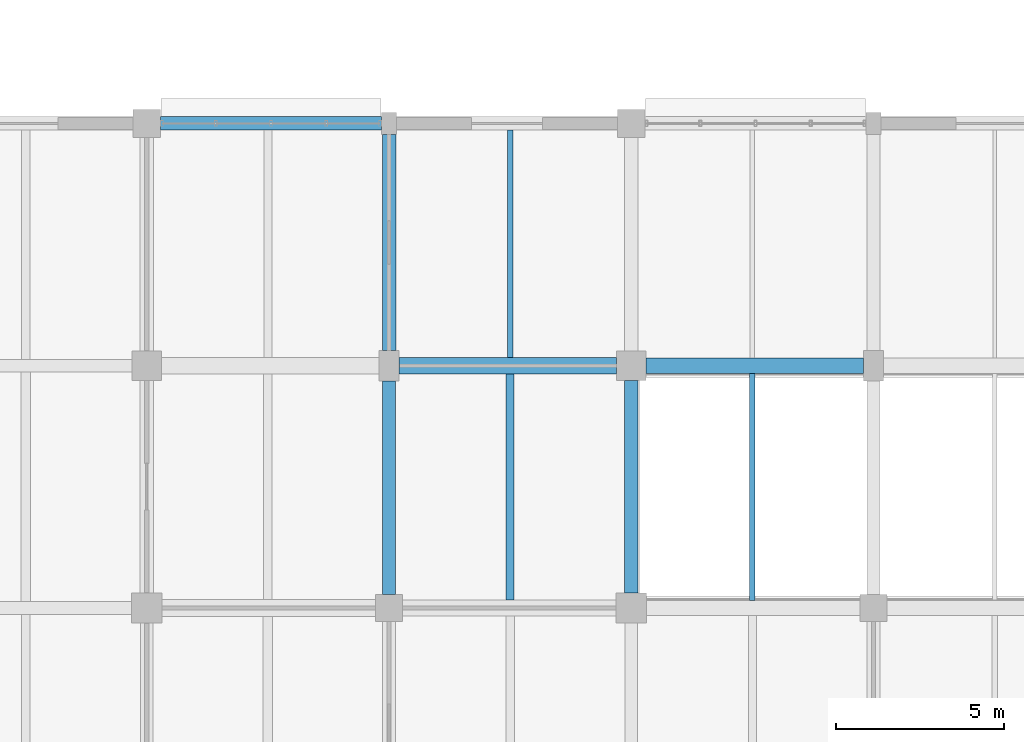
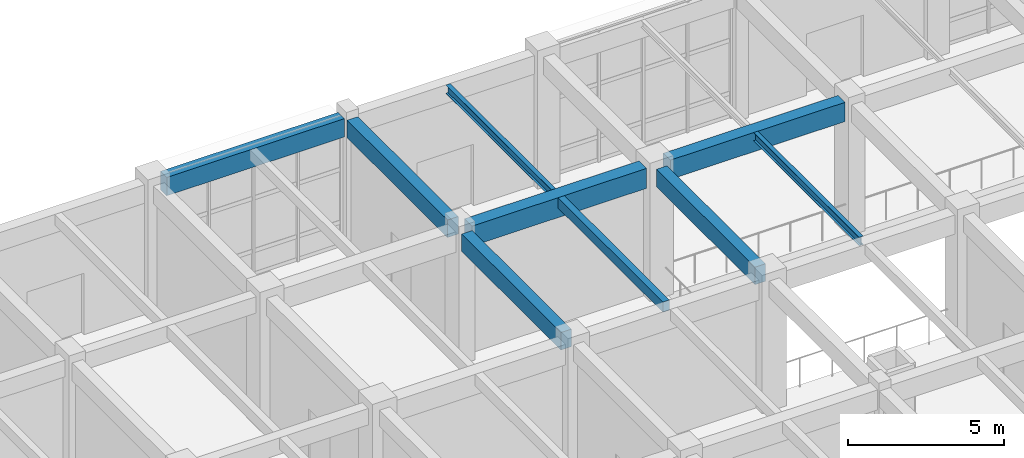
# One storey, part 106 of 160: 9 beams.
"""IFC4 building model written with IfcOpenShell, lengths in metres."""

import ifcopenshell
import ifcopenshell.guid

model = None  # the IFC model being written
_history = None  # IfcOwnerHistory: only IFC2X3 demands one
_inside = {}  # id of a spatial element -> (the spatial element, [elements in it])
_under = {}  # id of a project, library or spatial element -> (it, [spatial elements below it])
_declared = {}  # id of a project -> (the project, [libraries it declares])
_typed = {}  # id of a type object -> (the type object, [elements of that type])
_made_of = {}  # id of a material, layer set ... -> (it, [elements and type objects made of it])


def new_model(schema):
    """Start an empty IFC model of exactly this schema.

    Asked for "IFC4X3", IfcOpenShell would pick the latest addendum, in which some entities
    have other attributes; the version numbers below select the first issue.
    IFC2X3 requires an IfcOwnerHistory on every rooted entity: one is made here for all.
    """
    global model, _history
    if schema == "IFC4X3":
        model = ifcopenshell.file(schema_version=(4, 3, 0, 0))
    else:
        model = ifcopenshell.file(schema=schema)
    _inside.clear()
    _under.clear()
    _declared.clear()
    _typed.clear()
    _made_of.clear()
    _history = None
    if model.schema == "IFC2X3":
        org = make("IfcOrganization", Name="unknown")
        user = make(
            "IfcPersonAndOrganization",
            ThePerson=make("IfcPerson", FamilyName="unknown"),
            TheOrganization=org,
        )
        app = make(
            "IfcApplication",
            ApplicationDeveloper=org,
            Version="unknown",
            ApplicationFullName="unknown",
            ApplicationIdentifier="unknown",
        )
        _history = make(
            "IfcOwnerHistory",
            OwningUser=user,
            OwningApplication=app,
            ChangeAction="ADDED",
            CreationDate=0,
        )
    return model


def make(cls, **values):
    """One entity of the class cls with the attributes given. An attribute that is None is left unset."""
    return model.create_entity(
        cls, **{name: value for name, value in values.items() if value is not None}
    )


def rooted(cls, **values):
    """An entity with a GlobalId (a new one), such as an element, a storey or a relation."""
    return make(cls, GlobalId=ifcopenshell.guid.new(), OwnerHistory=_history, **values)


def si_unit(unit_type, name, prefix=None):
    """IfcSIUnit, for example si_unit("LENGTHUNIT", "METRE", prefix="MILLI")."""
    return make("IfcSIUnit", UnitType=unit_type, Prefix=prefix, Name=name)


def assignment(units):
    """IfcUnitAssignment: the units of a project."""
    return None if units is None else make("IfcUnitAssignment", Units=units)


def point(xyz):
    """IfcCartesianPoint."""
    return None if xyz is None else make("IfcCartesianPoint", Coordinates=xyz)


def direction(xyz):
    """IfcDirection."""
    return None if xyz is None else make("IfcDirection", DirectionRatios=xyz)


def frame(location, z_axis=None, x_axis=None):
    """IfcAxis2Placement3D, a coordinate frame: its origin and axes. An axis left out is left unset."""
    return make(
        "IfcAxis2Placement3D",
        Location=point(location),
        Axis=direction(z_axis),
        RefDirection=direction(x_axis),
    )


def frame_2d(location, x_axis=None):
    """IfcAxis2Placement2D, a coordinate frame in the plane: its origin and x axis."""
    return make(
        "IfcAxis2Placement2D", Location=point(location), RefDirection=direction(x_axis)
    )


def origin():
    """The frame at (0, 0, 0) with its axes left unset."""
    return frame((0.0, 0.0, 0.0))


def origin_2d():
    """The frame at (0, 0) in the plane with its x axis left unset."""
    return frame_2d((0.0, 0.0))


def place(relative_to, where):
    """IfcLocalPlacement: puts the frame where relative to a parent placement (None: the world)."""
    return make(
        "IfcLocalPlacement", PlacementRelTo=relative_to, RelativePlacement=where
    )


def context(
    kind, dimensions, precision=None, world=None, true_north=None, identifier=None
):
    """IfcGeometricRepresentationContext, for example the 3D "Model" context."""
    return make(
        "IfcGeometricRepresentationContext",
        ContextIdentifier=identifier,
        ContextType=kind,
        CoordinateSpaceDimension=dimensions,
        Precision=precision,
        WorldCoordinateSystem=world,
        TrueNorth=true_north,
    )


def subcontext(parent, identifier, kind, view, scale=None):
    """IfcGeometricRepresentationSubContext, for example "Body" below "Model"."""
    return make(
        "IfcGeometricRepresentationSubContext",
        ContextIdentifier=identifier,
        ContextType=kind,
        ParentContext=parent,
        TargetScale=scale,
        TargetView=view,
    )


def project(units=None, contexts=None):
    """IfcProject with its units and contexts."""
    return rooted(
        "IfcProject",
        Name="project",
        RepresentationContexts=contexts,
        UnitsInContext=assignment(units),
    )


def spatial(cls, under=None, at=None, **own):
    """A site, building, storey or space (cls), placed at a placement, below another one or the project."""
    s = rooted(cls, ObjectPlacement=at, **own)
    if under is not None:
        _under.setdefault(under.id(), (under, []))[1].append(s)
    return s


def profile(cls, at=None, kind="AREA", **sizes):
    """A parametric profile (cls). Its sizes go by their IFC names, for example OverallWidth=200.0."""
    return make(cls, ProfileType=kind, Position=at, **sizes)


def rectangle(**sizes):
    """IfcRectangleProfileDef."""
    return profile("IfcRectangleProfileDef", **sizes)


def i_section(**sizes):
    """IfcIShapeProfileDef."""
    return profile("IfcIShapeProfileDef", **sizes)


def extrude(swept, where, along, depth):
    """IfcExtrudedAreaSolid: the profile swept, set in the frame where, extruded along a direction by depth."""
    return make(
        "IfcExtrudedAreaSolid",
        SweptArea=swept,
        Position=where,
        ExtrudedDirection=direction(along),
        Depth=depth,
    )


def shape(context_of_items, identifier, shape_type, items):
    """IfcShapeRepresentation: the items that make up one representation, for example the "Body"."""
    return make(
        "IfcShapeRepresentation",
        ContextOfItems=context_of_items,
        RepresentationIdentifier=identifier,
        RepresentationType=shape_type,
        Items=items,
    )


def material(Name=None, Category=None):
    """IfcMaterial."""
    return make("IfcMaterial", Name=Name, Category=Category)


def material_profile(
    of_material, cross_section, Name=None, Category=None, Priority=None
):
    """IfcMaterialProfile: a cross section and its material."""
    return make(
        "IfcMaterialProfile",
        Name=Name,
        Material=of_material,
        Profile=cross_section,
        Priority=Priority,
        Category=Category,
    )


def profile_set(profiles, Name=None, composite=None):
    """IfcMaterialProfileSet."""
    return make(
        "IfcMaterialProfileSet",
        Name=Name,
        MaterialProfiles=profiles,
        CompositeProfile=composite,
    )


def made_of(thing, what):
    """Note that an element or type object is made of a material, layer set ...; save() writes the relation."""
    if what is not None:
        _made_of.setdefault(what.id(), (what, []))[1].append(thing)
    return thing


def type_object(cls, material=None, **own):
    """A type object (cls), such as IfcWallType, which elements share."""
    return made_of(rooted(cls, **own), material)


def element(
    cls,
    number,
    at=None,
    inside=None,
    cuts=None,
    type_object=None,
    material=None,
    context=None,
    identifier="Body",
    shape_type=None,
    held_by="IfcProductDefinitionShape",
    body=None,
    shapes=None,
    **own,
):
    """One element of the class cls, such as IfcWall. Its Tag is "e" and its number.

    at: its placement. inside: the storey or other place that contains it. cuts: it is an
    opening in that element (IfcRelVoidsElement). A single representation is given by context,
    identifier, shape_type and body (its items); several are given by shapes. held_by: the class
    of the entity that holds the representations. save() writes the other relations.
    """
    e = rooted(cls, Tag="e%d" % number, ObjectPlacement=at, **own)
    if body is not None:
        shapes = [shape(context, identifier, shape_type, body)]
    if shapes is not None:
        e.Representation = make(held_by, Representations=shapes)
    if inside is not None:
        _inside.setdefault(inside.id(), (inside, []))[1].append(e)
    if cuts is not None:
        rooted(
            "IfcRelVoidsElement", RelatingBuildingElement=cuts, RelatedOpeningElement=e
        )
    if type_object is not None:
        _typed.setdefault(type_object.id(), (type_object, []))[1].append(e)
    return made_of(e, material)


def aggregate(whole, parts):
    """IfcRelAggregates: a whole, such as a stair, and the parts it consists of."""
    return rooted("IfcRelAggregates", RelatingObject=whole, RelatedObjects=parts)


def save(model, path):
    """Write the relations noted so far, then the file.

    IfcRelAggregates (storeys below a building ...), IfcRelContainedInSpatialStructure (elements
    in a storey), IfcRelDefinesByType, IfcRelAssociatesMaterial and IfcRelDeclares: one each for
    every whole, place, type object, material and project.
    """
    for whole, parts in _under.values():
        aggregate(whole, parts)
    for where, things in _inside.values():
        rooted(
            "IfcRelContainedInSpatialStructure",
            RelatedElements=things,
            RelatingStructure=where,
        )
    for kind, things in _typed.values():
        rooted("IfcRelDefinesByType", RelatedObjects=things, RelatingType=kind)
    for what, things in _made_of.values():
        rooted("IfcRelAssociatesMaterial", RelatedObjects=things, RelatingMaterial=what)
    for by, libraries in _declared.values():
        rooted("IfcRelDeclares", RelatingContext=by, RelatedDefinitions=libraries)
    model.write(path)


model = new_model("IFC4")

# Units and contexts
model_context = context("Model", 3, precision=1e-05, world=origin(), true_north=direction((0.0, 1.0)))
body_context = subcontext(model_context, "Body", "Model", "MODEL_VIEW")
ifc_project = project(units=[si_unit("LENGTHUNIT", "METRE"), si_unit("AREAUNIT", "SQUARE_METRE"), si_unit("VOLUMEUNIT", "CUBIC_METRE"), si_unit("PLANEANGLEUNIT", "RADIAN"), si_unit("MASSUNIT", "GRAM", prefix="KILO")], contexts=[model_context])

# Site, building, storey
site_placement = place(None, origin())
site = spatial("IfcSite", under=ifc_project, at=site_placement, CompositionType="ELEMENT")
building_placement = place(site_placement, origin())
building = spatial("IfcBuilding", under=site, at=building_placement, Name="Thalmaran Polytechnic", CompositionType="ELEMENT")
storey_placement = place(building_placement, origin())
storey = spatial("IfcBuildingStorey", under=building, at=storey_placement, Name="L00", CompositionType="ELEMENT", Elevation=0.0)

# Beams
ifc_material_1 = material(Name="Concrete C40/50", Category="concrete")
ifc_material_profile_1 = material_profile(ifc_material_1, rectangle(XDim=0.449951171875, YDim=0.75, at=origin_2d()), Name="RC 450x750")
ifc_profile_set_1 = profile_set([ifc_material_profile_1], Name="Concrete C40/50")
beam_type_1 = type_object("IfcBeamType", Name="BM-RC03", PredefinedType="BEAM", material=ifc_profile_set_1)
beam_1_placement = place(storey_placement, frame((151.639892578125, 115.199951171875, 4.715087890625), z_axis=(1.0, 0.0, 0.0), x_axis=(0.0, 1.0, 0.0)))
element("IfcBeam", 1, at=beam_1_placement, inside=storey, type_object=beam_type_1, Name="Grid Beam B03 L00 X(21,16)", PredefinedType="BEAM", context=body_context, shape_type="SweptSolid", body=[
    extrude(rectangle(XDim=0.449951171875, YDim=0.75, at=origin_2d()), origin(), (0.0, 0.0, 1.0), 6.460205078125),
])
ifc_material_profile_2 = material_profile(ifc_material_1, rectangle(XDim=0.389892578125, YDim=0.68505859375, at=origin_2d()), Name="RC 390x685")
ifc_profile_set_2 = profile_set([ifc_material_profile_2], Name="Concrete C40/50")
beam_type_2 = type_object("IfcBeamType", Name="BM-RC08", PredefinedType="BEAM", material=ifc_profile_set_2)
beam_2_placement = place(storey_placement, frame((144.0, 108.39990234375, 4.74755859375), z_axis=(0.0, 1.0, 0.0), x_axis=(-1.0, 0.0, 0.0)))
element("IfcBeam", 2, at=beam_2_placement, inside=storey, type_object=beam_type_2, Name="Grid Beam B08 L00 Y(20,15)", PredefinedType="BEAM", context=body_context, shape_type="SweptSolid", body=[
    extrude(rectangle(XDim=0.389892578125, YDim=0.68505859375, at=origin_2d()), origin(), (0.0, 0.0, 1.0), 6.35009765625),
])
beam_3_placement = place(storey_placement, frame((151.199951171875, 108.449951171875, 4.74755859375), z_axis=(0.0, 1.0, 0.0), x_axis=(-1.0, 0.0, 0.0)))
element("IfcBeam", 3, at=beam_3_placement, inside=storey, type_object=beam_type_2, Name="Grid Beam B08 L00 Y(21,15)", PredefinedType="BEAM", context=body_context, shape_type="SweptSolid", body=[
    extrude(rectangle(XDim=0.389892578125, YDim=0.68505859375, at=origin_2d()), origin(), (0.0, 0.0, 1.0), 6.31005859375),
])
ifc_material_2 = material(Name="Steel S355", Category="steel")
ifc_material_profile_3 = material_profile(ifc_material_2, i_section(OverallWidth=0.159912109375, OverallDepth=0.330078125, WebThickness=0.007568359375, FlangeThickness=0.011474609375, at=origin_2d()), Name="IPE 330")
ifc_profile_set_3 = profile_set([ifc_material_profile_3], Name="Steel S355")
beam_type_3 = type_object("IfcBeamType", Name="BM-SJ02", PredefinedType="JOIST", material=ifc_profile_set_3)
beam_4_placement = place(storey_placement, frame((147.60009765625, 115.43994140625, 4.925048828125), z_axis=(0.0, 1.0, 0.0), x_axis=(-1.0, 0.0, 0.0)))
element("IfcBeam", 4, at=beam_4_placement, inside=storey, type_object=beam_type_3, Name="Secondary Floor Rib SJ02 L00 (20,16)", PredefinedType="JOIST", context=body_context, shape_type="SweptSolid", body=[
    extrude(i_section(OverallWidth=0.159912109375, OverallDepth=0.330078125, WebThickness=0.007568359375, FlangeThickness=0.011474609375, at=origin_2d()), origin(), (0.0, 0.0, 1.0), 6.760009765625),
])
beam_5_placement = place(storey_placement, frame((154.800048828125, 108.22509765625, 4.925048828125), z_axis=(0.0, 1.0, 0.0), x_axis=(-1.0, 0.0, 0.0)))
element("IfcBeam", 5, at=beam_5_placement, inside=storey, type_object=beam_type_3, Name="Secondary Floor Rib SJ02 L00 (21,15)", PredefinedType="JOIST", context=body_context, shape_type="SweptSolid", body=[
    extrude(i_section(OverallWidth=0.159912109375, OverallDepth=0.330078125, WebThickness=0.007568359375, FlangeThickness=0.011474609375, at=origin_2d()), origin(), (0.0, 0.0, 1.0), 6.75),
])
ifc_material_profile_4 = material_profile(ifc_material_1, rectangle(XDim=0.39990234375, YDim=0.719970703125, at=origin_2d()), Name="RC 400x720")
ifc_profile_set_4 = profile_set([ifc_material_profile_4], Name="Concrete C40/50")
beam_type_4 = type_object("IfcBeamType", Name="BM-SP01", PredefinedType="SPANDREL", material=ifc_profile_set_4)
beam_6_placement = place(storey_placement, frame((137.2099609375, 122.39990234375, 4.72998046875), z_axis=(1.0, 0.0, 0.0), x_axis=(0.0, 1.0, 0.0)))
element("IfcBeam", 6, at=beam_6_placement, inside=storey, type_object=beam_type_4, Name="Grid Beam SP01 L00 X(19,17)", PredefinedType="SPANDREL", context=body_context, shape_type="SweptSolid", body=[
    extrude(rectangle(XDim=0.39990234375, YDim=0.719970703125, at=origin_2d()), origin(), (0.0, 0.0, 1.0), 6.56494140625),
])
ifc_material_profile_5 = material_profile(ifc_material_1, rectangle(XDim=0.47998046875, YDim=0.780029296875, at=origin_2d()), Name="RC 480x780")
ifc_profile_set_5 = profile_set([ifc_material_profile_5], Name="Concrete C40/50")
beam_type_5 = type_object("IfcBeamType", Name="BM-ZB01", PredefinedType="BEAM", material=ifc_profile_set_5)
beam_7_placement = place(storey_placement, frame((144.300048828125, 115.199951171875, 4.699951171875), z_axis=(1.0, 0.0, 0.0), x_axis=(0.0, 1.0, 0.0)))
element("IfcBeam", 7, at=beam_7_placement, inside=storey, type_object=beam_type_5, Name="Grid Beam ZB01 L00 X(20,16)", PredefinedType="BEAM", context=body_context, shape_type="SweptSolid", body=[
    extrude(rectangle(XDim=0.47998046875, YDim=0.780029296875, at=origin_2d()), origin(), (0.0, 0.0, 1.0), 6.4599609375),
])
ifc_material_profile_6 = material_profile(ifc_material_1, rectangle(XDim=0.39990234375, YDim=0.68505859375, at=origin_2d()), Name="RC 400x685")
ifc_profile_set_6 = profile_set([ifc_material_profile_6], Name="Concrete C40/50")
beam_type_6 = type_object("IfcBeamType", Name="BM-ZB07", PredefinedType="BEAM", material=ifc_profile_set_6)
beam_8_placement = place(storey_placement, frame((144.0, 115.64990234375, 4.74755859375), z_axis=(0.0, 1.0, 0.0), x_axis=(-1.0, 0.0, 0.0)))
element("IfcBeam", 8, at=beam_8_placement, inside=storey, type_object=beam_type_6, Name="Grid Beam ZB07 L00 Y(20,16)", PredefinedType="BEAM", context=body_context, shape_type="SweptSolid", body=[
    extrude(rectangle(XDim=0.39990234375, YDim=0.68505859375, at=origin_2d()), origin(), (0.0, 0.0, 1.0), 6.425048828125),
])
ifc_material_profile_7 = material_profile(ifc_material_1, rectangle(XDim=0.239990234375, YDim=0.39990234375, at=origin_2d()), Name="RC 240x400")
ifc_profile_set_7 = profile_set([ifc_material_profile_7], Name="Concrete C40/50")
beam_type_7 = type_object("IfcBeamType", Name="BM-ZJ04", PredefinedType="JOIST", material=ifc_profile_set_7)
beam_9_placement = place(storey_placement, frame((147.60009765625, 108.239990234375, 4.889892578125), z_axis=(0.0, 1.0, 0.0), x_axis=(-1.0, 0.0, 0.0)))
element("IfcBeam", 9, at=beam_9_placement, inside=storey, type_object=beam_type_7, Name="Secondary Floor Rib ZJ04 L00 (20,15)", PredefinedType="JOIST", context=body_context, shape_type="SweptSolid", body=[
    extrude(rectangle(XDim=0.239990234375, YDim=0.39990234375, at=origin_2d()), origin(), (0.0, 0.0, 1.0), 6.719970703125),
])

save(model, "model.ifc")
